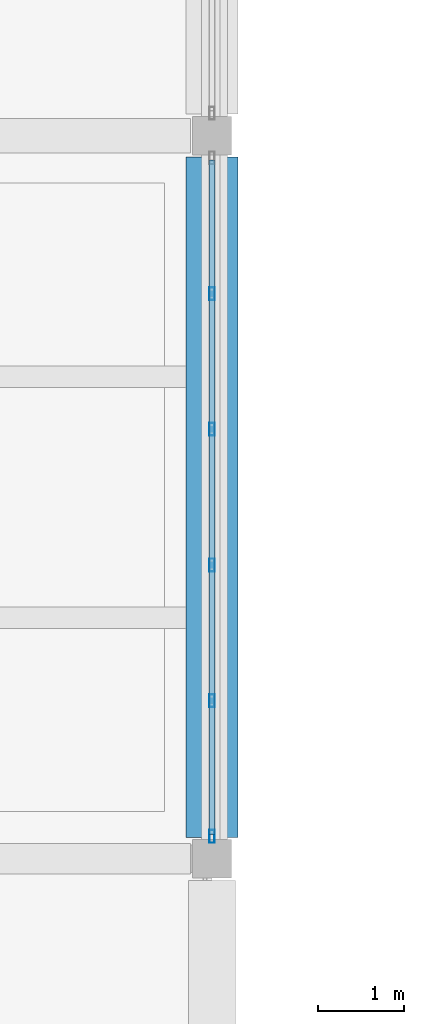
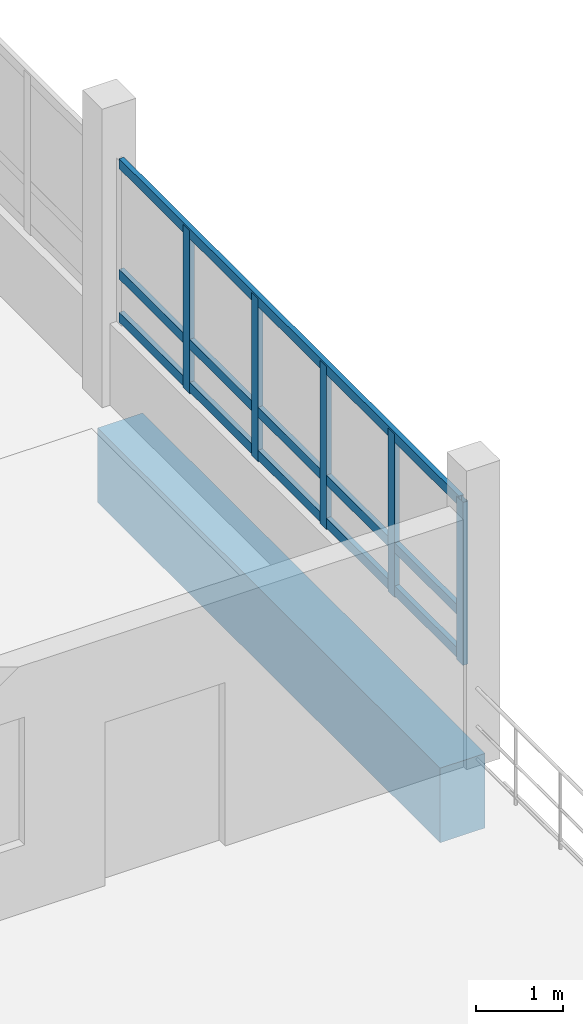
# One storey, part 5 of 62: 8 members, 1 beam, 1 element without a shape of its own.
"""IFC4 building model written with IfcOpenShell, lengths in metres."""

from ifc_helpers import new_model, si_unit, direction, frame, origin, origin_2d, place, context, subcontext, project, spatial, rectangle, hollow_rectangle, extrude, material, layer, layer_set, material_profile, profile_set, type_object, element, aggregate, save


model = new_model("IFC4")

# Units and contexts
model_context = context("Model", 3, precision=1e-05, world=origin(), true_north=direction((0.0, 1.0)))
body_context = subcontext(model_context, "Body", "Model", "MODEL_VIEW")
ifc_project = project(units=[si_unit("LENGTHUNIT", "METRE"), si_unit("AREAUNIT", "SQUARE_METRE"), si_unit("VOLUMEUNIT", "CUBIC_METRE"), si_unit("PLANEANGLEUNIT", "RADIAN"), si_unit("MASSUNIT", "GRAM", prefix="KILO")], contexts=[model_context])

# Site, building, storey
site_placement = place(None, origin())
site = spatial("IfcSite", under=ifc_project, at=site_placement, CompositionType="ELEMENT")
building_placement = place(site_placement, origin())
building = spatial("IfcBuilding", under=site, at=building_placement, Name="Vireocrest Preparatory School", CompositionType="ELEMENT")
storey_placement = place(building_placement, frame((0.0, 0.0, 17.39990234375)))
storey = spatial("IfcBuildingStorey", under=building, at=storey_placement, Name="L04", CompositionType="ELEMENT", Elevation=17.39990234375)

# Curtain wall, members
ifc_material_1 = material(Name="Thermally broken aluminium EN AW-6063-T6", Category="aluminium")
ifc_layer = layer(ifc_material_1, 0.179931640625)
ifc_layer_set = layer_set([ifc_layer], Name="Thermally broken aluminium EN AW-6063-T6")
curtain_wall_type = type_object("IfcCurtainWallType", Name="Court Banded Curtain Wall 8400x3000", PredefinedType="USERDEFINED", material=ifc_layer_set)
curtain_wall_placement = place(storey_placement, origin())
curtain_wall = element("IfcCurtainWall", 1, at=curtain_wall_placement, inside=storey, type_object=curtain_wall_type, Name="Curtain Wall CW02 CW_L04_CW02_0672_0440_186", ObjectType="CURTAIN WALL", PredefinedType="USERDEFINED")
ifc_material_profile_1 = material_profile(ifc_material_1, hollow_rectangle(XDim=0.06494140625, YDim=0.14990234375, WallThickness=0.00390625, at=origin_2d()), Name="ALU 65x150x4")
ifc_profile_set_1 = profile_set([ifc_material_profile_1], Name="Thermally broken aluminium EN AW-6063-T6")
member_type_1 = type_object("IfcMemberType", Name="CW Mullion 65x150x4", PredefinedType="MULLION", material=ifc_profile_set_1)
member_1_placement = place(storey_placement, frame((67.199951171875, 44.06005859375, 1.150146484375), z_axis=(0.0, 0.0, 1.0), x_axis=(1.0, 0.0, 0.0)))
member_1 = element("IfcMember", 2, at=member_1_placement, type_object=member_type_1, Name="CW Mullion ML1 CW_L04_CW02_0672_0440_186-1", PredefinedType="MULLION", context=body_context, shape_type="SweptSolid", body=[
    extrude(hollow_rectangle(XDim=0.06494140625, YDim=0.14990234375, WallThickness=0.00390625, at=origin_2d()), origin(), (0.0, 0.0, 1.0), 2.294921875),
])
member_2_placement = place(storey_placement, frame((67.199951171875, 45.635986328125, 1.150146484375), z_axis=(0.0, 0.0, 1.0), x_axis=(1.0, 0.0, 0.0)))
member_2 = element("IfcMember", 3, at=member_2_placement, type_object=member_type_1, Name="CW Mullion ML1 CW_L04_CW02_0672_0440_186-2", PredefinedType="MULLION", context=body_context, shape_type="SweptSolid", body=[
    extrude(hollow_rectangle(XDim=0.06494140625, YDim=0.14990234375, WallThickness=0.00390625, at=origin_2d()), origin(), (0.0, 0.0, 1.0), 2.294921875),
])
member_3_placement = place(storey_placement, frame((67.199951171875, 47.2119140625, 1.150146484375), z_axis=(0.0, 0.0, 1.0), x_axis=(1.0, 0.0, 0.0)))
member_3 = element("IfcMember", 4, at=member_3_placement, type_object=member_type_1, Name="CW Mullion ML1 CW_L04_CW02_0672_0440_186-3", PredefinedType="MULLION", context=body_context, shape_type="SweptSolid", body=[
    extrude(hollow_rectangle(XDim=0.06494140625, YDim=0.14990234375, WallThickness=0.00390625, at=origin_2d()), origin(), (0.0, 0.0, 1.0), 2.294921875),
])
member_4_placement = place(storey_placement, frame((67.199951171875, 48.7880859375, 1.150146484375), z_axis=(0.0, 0.0, 1.0), x_axis=(1.0, 0.0, 0.0)))
member_4 = element("IfcMember", 5, at=member_4_placement, type_object=member_type_1, Name="CW Mullion ML1 CW_L04_CW02_0672_0440_186-4", PredefinedType="MULLION", context=body_context, shape_type="SweptSolid", body=[
    extrude(hollow_rectangle(XDim=0.06494140625, YDim=0.14990234375, WallThickness=0.00390625, at=origin_2d()), origin(), (0.0, 0.0, 1.0), 2.294921875),
])
member_5_placement = place(storey_placement, frame((67.199951171875, 50.364013671875, 1.150146484375), z_axis=(0.0, 0.0, 1.0), x_axis=(1.0, 0.0, 0.0)))
member_5 = element("IfcMember", 6, at=member_5_placement, type_object=member_type_1, Name="CW Mullion ML1 CW_L04_CW02_0672_0440_186-5", PredefinedType="MULLION", context=body_context, shape_type="SweptSolid", body=[
    extrude(hollow_rectangle(XDim=0.06494140625, YDim=0.14990234375, WallThickness=0.00390625, at=origin_2d()), origin(), (0.0, 0.0, 1.0), 2.294921875),
])
ifc_material_profile_2 = material_profile(ifc_material_1, hollow_rectangle(XDim=0.06494140625, YDim=0.139892578125, WallThickness=0.00390625, at=origin_2d()), Name="ALU 65x140x4")
ifc_profile_set_2 = profile_set([ifc_material_profile_2], Name="Thermally broken aluminium EN AW-6063-T6")
member_type_2 = type_object("IfcMemberType", Name="CW Transom 65x140x4", PredefinedType="USERDEFINED", material=ifc_profile_set_2)
member_6_placement = place(storey_placement, frame((67.199951171875, 44.0849609375, 1.2451171875), z_axis=(0.0, 1.0, 0.0), x_axis=(-1.0, 0.0, 0.0)))
member_6 = element("IfcMember", 7, at=member_6_placement, type_object=member_type_2, Name="CW Transom TR1 CW_L04_CW02_0672_0440_186-1", ObjectType="TRANSOM", PredefinedType="USERDEFINED", context=body_context, shape_type="SweptSolid", body=[
    extrude(hollow_rectangle(XDim=0.06494140625, YDim=0.139892578125, WallThickness=0.00390625, at=origin_2d()), origin(), (0.0, 0.0, 1.0), 7.830078125),
])
member_7_placement = place(storey_placement, frame((67.199951171875, 44.0849609375, 1.85009765625), z_axis=(0.0, 1.0, 0.0), x_axis=(-1.0, 0.0, 0.0)))
member_7 = element("IfcMember", 8, at=member_7_placement, type_object=member_type_2, Name="CW Transom TR1 CW_L04_CW02_0672_0440_186-2", ObjectType="TRANSOM", PredefinedType="USERDEFINED", context=body_context, shape_type="SweptSolid", body=[
    extrude(hollow_rectangle(XDim=0.06494140625, YDim=0.139892578125, WallThickness=0.00390625, at=origin_2d()), origin(), (0.0, 0.0, 1.0), 7.830078125),
])
member_8_placement = place(storey_placement, frame((67.199951171875, 44.0849609375, 3.405029296875), z_axis=(0.0, 1.0, 0.0), x_axis=(-1.0, 0.0, 0.0)))
member_8 = element("IfcMember", 9, at=member_8_placement, type_object=member_type_2, Name="CW Transom TR1 CW_L04_CW02_0672_0440_186-3", ObjectType="TRANSOM", PredefinedType="USERDEFINED", context=body_context, shape_type="SweptSolid", body=[
    extrude(hollow_rectangle(XDim=0.06494140625, YDim=0.139892578125, WallThickness=0.00390625, at=origin_2d()), origin(), (0.0, 0.0, 1.0), 7.830078125),
])
aggregate(curtain_wall, [member_1, member_2, member_3, member_4, member_5, member_6, member_7, member_8])

# Beam
ifc_material_2 = material(Name="Concrete 40 MPa", Category="concrete")
ifc_material_profile_3 = material_profile(ifc_material_2, rectangle(XDim=0.60009765625, YDim=1.050048828125, at=origin_2d()), Name="RC 600x1050")
ifc_profile_set_3 = profile_set([ifc_material_profile_3], Name="Concrete 40 MPa")
beam_type = type_object("IfcBeamType", Name="RC Transfer Girder 600x1050", PredefinedType="BEAM", material=ifc_profile_set_3)
beam_placement = place(storey_placement, frame((67.199951171875, 44.050048828125, -0.764892578125), z_axis=(0.0, 1.0, 0.0), x_axis=(-1.0, 0.0, 0.0)))
element("IfcBeam", 10, at=beam_placement, inside=storey, type_object=beam_type, Name="Primary Girder B19 L04-1380", PredefinedType="BEAM", context=body_context, shape_type="SweptSolid", body=[
    extrude(rectangle(XDim=0.60009765625, YDim=1.050048828125, at=origin_2d()), origin(), (0.0, 0.0, 1.0), 7.89990234375),
])

save(model, "model.ifc")
